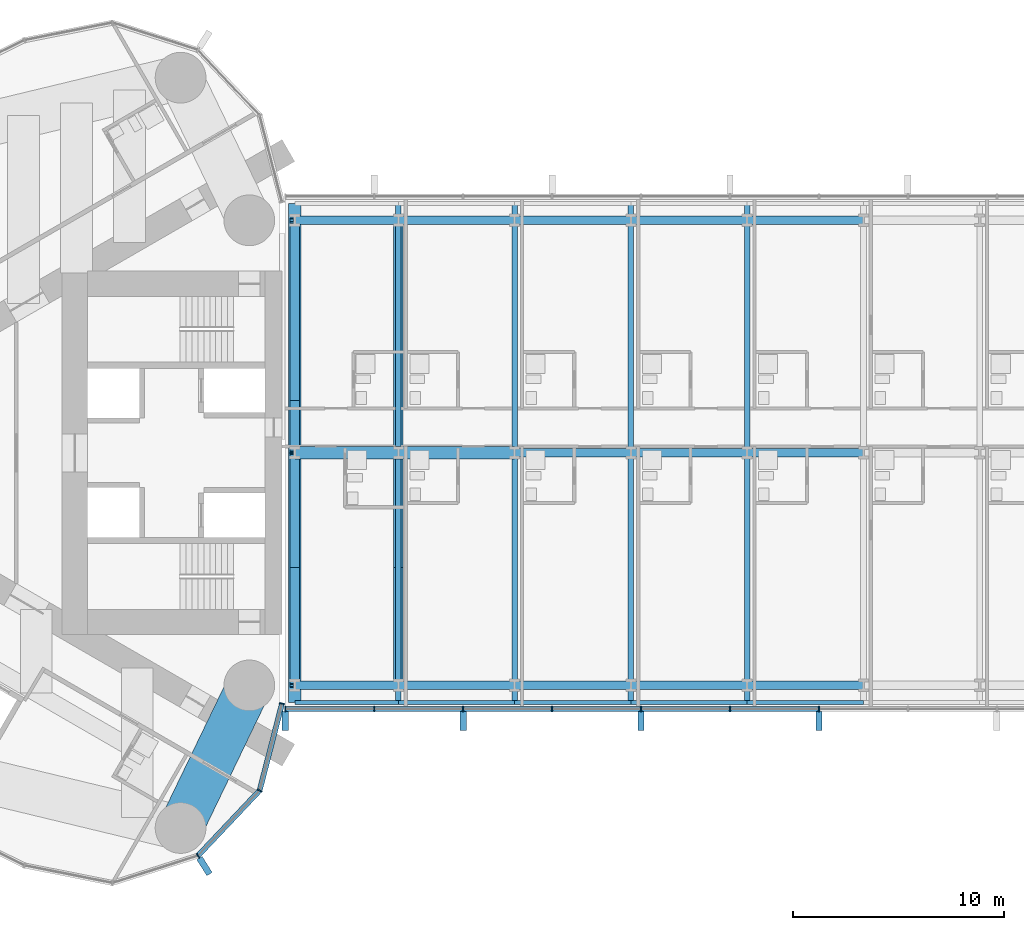
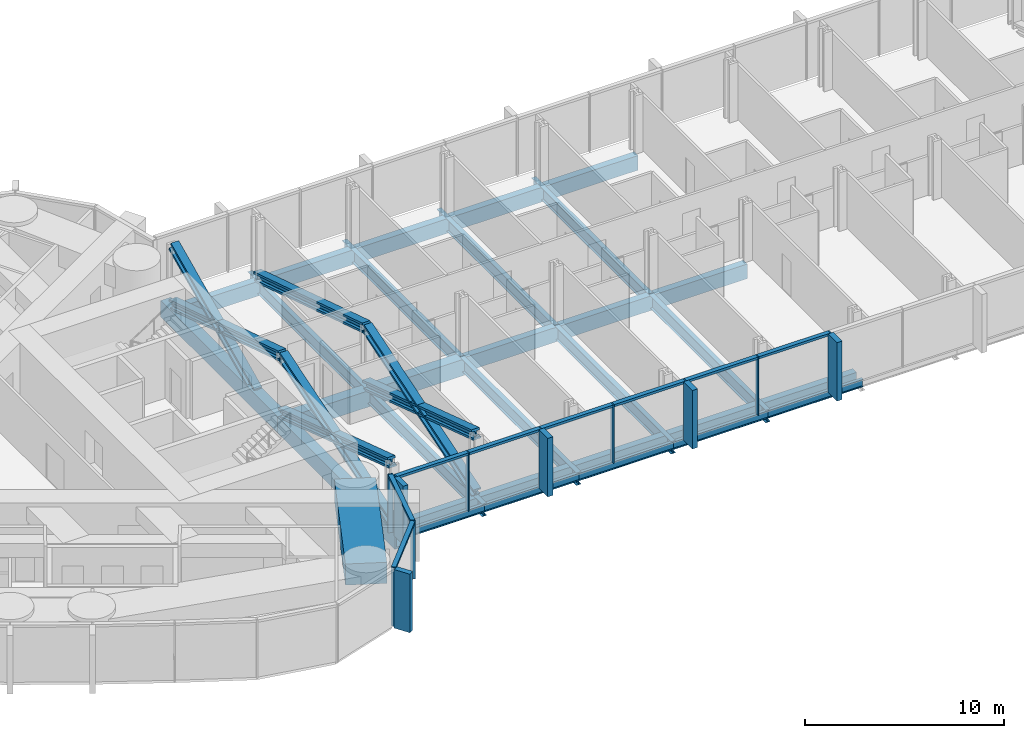
# One storey, part 4 of 23: 31 beams, 30 members, 2 elements without a shape of their own.
"""IFC4 building model written with IfcOpenShell, lengths in metres."""

from ifc_helpers import new_model, si_unit, direction, frame, origin, origin_2d, place, context, subcontext, project, spatial, rectangle, hollow_rectangle, i_section, extrude, material, material_profile, profile_set, type_object, element, aggregate, save


model = new_model("IFC4")

# Units and contexts
model_context = context("Model", 3, precision=1e-05, world=origin(), true_north=direction((0.0, 1.0)))
body_context = subcontext(model_context, "Body", "Model", "MODEL_VIEW")
ifc_project = project(units=[si_unit("LENGTHUNIT", "METRE"), si_unit("AREAUNIT", "SQUARE_METRE"), si_unit("VOLUMEUNIT", "CUBIC_METRE"), si_unit("PLANEANGLEUNIT", "RADIAN"), si_unit("MASSUNIT", "GRAM", prefix="KILO")], contexts=[model_context])

# Site, building, storey
site_placement = place(None, origin())
site = spatial("IfcSite", under=ifc_project, at=site_placement, CompositionType="ELEMENT")
building_placement = place(site_placement, origin())
building = spatial("IfcBuilding", under=site, at=building_placement, Name="Lancet Gate Hotel", CompositionType="ELEMENT")
storey_placement = place(building_placement, frame((0.0, 0.0, 218.89990234375)))
storey = spatial("IfcBuildingStorey", under=building, at=storey_placement, Name="L58", CompositionType="ELEMENT", Elevation=218.89990234375)

# Curtain wall, members
ifc_material_1 = material(Name="Aluminium curtain wall", Category="aluminium")
curtain_wall_type_1 = type_object("IfcCurtainWallType", Name="Tower unitised curtain wall", PredefinedType="USERDEFINED", material=ifc_material_1)
curtain_wall_1_placement = place(storey_placement, origin())
curtain_wall_1 = element("IfcCurtainWall", 1, at=curtain_wall_1_placement, inside=storey, type_object=curtain_wall_type_1, Name="T1 L58 curtain wall 1", ObjectType="UNITISED CURTAIN WALL", PredefinedType="USERDEFINED")
ifc_material_2 = material(Name="Aluminium mullion", Category="aluminium")
ifc_material_profile_1 = material_profile(ifc_material_2, rectangle(XDim=0.06494140625, YDim=0.25, at=origin_2d()), Name="MULLION 65x250")
ifc_profile_set_1 = profile_set([ifc_material_profile_1], Name="Aluminium mullion")
member_type_1 = type_object("IfcMemberType", Name="Aluminium mullion 65x250", PredefinedType="MULLION", material=ifc_profile_set_1)
member_1_placement = place(storey_placement, frame((-31.476318359375, -19.0576171875, 0.0), z_axis=(0.0, 0.0, 1.0), x_axis=(0.846612863, 0.532209225966, 0.0)))
member_1 = element("IfcMember", 2, at=member_1_placement, type_object=member_type_1, Name="T1 L58 curtain wall 1 mullion 23", PredefinedType="MULLION", context=body_context, shape_type="SweptSolid", body=[
    extrude(rectangle(XDim=0.06494140625, YDim=0.25, at=origin_2d()), origin(), (0.0, 0.0, 1.0), 3.60009765625),
])
member_2_placement = place(storey_placement, frame((-28.56005859375, -15.97216796875, 0.0), z_axis=(0.0, 0.0, 1.0), x_axis=(0.483627322447, 0.875274021654, 0.0)))
member_2 = element("IfcMember", 3, at=member_2_placement, type_object=member_type_1, Name="T1 L58 curtain wall 1 mullion 24", PredefinedType="MULLION", context=body_context, shape_type="SweptSolid", body=[
    extrude(rectangle(XDim=0.06494140625, YDim=0.25, at=origin_2d()), origin(), (0.0, 0.0, 1.0), 3.60009765625),
])
member_3_placement = place(storey_placement, frame((-27.5, -11.861572265625, 0.0), z_axis=(0.0, 0.0, 1.0), x_axis=(0.249725827997, 0.968316586056, 0.0)))
member_3 = element("IfcMember", 4, at=member_3_placement, type_object=member_type_1, Name="T1 L58 curtain wall 1 mullion 25", PredefinedType="MULLION", context=body_context, shape_type="SweptSolid", body=[
    extrude(rectangle(XDim=0.06494140625, YDim=0.25, at=origin_2d()), origin(), (0.0, 0.0, 1.0), 3.60009765625),
])

ifc_material_3 = material(Name="Aluminium curtain wall", Category="aluminium")
curtain_wall_type_2 = type_object("IfcCurtainWallType", Name="Bridge block curtain wall", PredefinedType="USERDEFINED", material=ifc_material_3)
curtain_wall_2_placement = place(storey_placement, origin())
curtain_wall_2 = element("IfcCurtainWall", 5, at=curtain_wall_2_placement, inside=storey, type_object=curtain_wall_type_2, Name="Bridge block L58 curtain wall S", ObjectType="UNITISED CURTAIN WALL", PredefinedType="USERDEFINED")
member_4_placement = place(storey_placement, frame((-27.35009765625, -12.1201171875, 0.0), z_axis=(0.0, 0.0, 1.0), x_axis=(1.0, 0.0, 0.0)))
member_4 = element("IfcMember", 6, at=member_4_placement, type_object=member_type_1, Name="Bridge block L58 curtain wall S mullion 1", PredefinedType="MULLION", context=body_context, shape_type="SweptSolid", body=[
    extrude(rectangle(XDim=0.06494140625, YDim=0.25, at=origin_2d()), origin(), (0.0, 0.0, 1.0), 3.60009765625),
])
member_5_placement = place(storey_placement, frame((-23.142333984375, -12.1201171875, 0.0), z_axis=(0.0, 0.0, 1.0), x_axis=(1.0, 0.0, 0.0)))
member_5 = element("IfcMember", 7, at=member_5_placement, type_object=member_type_1, Name="Bridge block L58 curtain wall S mullion 2", PredefinedType="MULLION", context=body_context, shape_type="SweptSolid", body=[
    extrude(rectangle(XDim=0.06494140625, YDim=0.25, at=origin_2d()), origin(), (0.0, 0.0, 1.0), 3.60009765625),
])
member_6_placement = place(storey_placement, frame((-18.9345703125, -12.1201171875, 0.0), z_axis=(0.0, 0.0, 1.0), x_axis=(1.0, 0.0, 0.0)))
member_6 = element("IfcMember", 8, at=member_6_placement, type_object=member_type_1, Name="Bridge block L58 curtain wall S mullion 3", PredefinedType="MULLION", context=body_context, shape_type="SweptSolid", body=[
    extrude(rectangle(XDim=0.06494140625, YDim=0.25, at=origin_2d()), origin(), (0.0, 0.0, 1.0), 3.60009765625),
])
member_7_placement = place(storey_placement, frame((-14.726806640625, -12.1201171875, 0.0), z_axis=(0.0, 0.0, 1.0), x_axis=(1.0, 0.0, 0.0)))
member_7 = element("IfcMember", 9, at=member_7_placement, type_object=member_type_1, Name="Bridge block L58 curtain wall S mullion 4", PredefinedType="MULLION", context=body_context, shape_type="SweptSolid", body=[
    extrude(rectangle(XDim=0.06494140625, YDim=0.25, at=origin_2d()), origin(), (0.0, 0.0, 1.0), 3.60009765625),
])
member_8_placement = place(storey_placement, frame((-10.519287109375, -12.1201171875, 0.0), z_axis=(0.0, 0.0, 1.0), x_axis=(1.0, 0.0, 0.0)))
member_8 = element("IfcMember", 10, at=member_8_placement, type_object=member_type_1, Name="Bridge block L58 curtain wall S mullion 5", PredefinedType="MULLION", context=body_context, shape_type="SweptSolid", body=[
    extrude(rectangle(XDim=0.06494140625, YDim=0.25, at=origin_2d()), origin(), (0.0, 0.0, 1.0), 3.60009765625),
])
member_9_placement = place(storey_placement, frame((-6.3115234375, -12.1201171875, 0.0), z_axis=(0.0, 0.0, 1.0), x_axis=(1.0, 0.0, 0.0)))
member_9 = element("IfcMember", 11, at=member_9_placement, type_object=member_type_1, Name="Bridge block L58 curtain wall S mullion 6", PredefinedType="MULLION", context=body_context, shape_type="SweptSolid", body=[
    extrude(rectangle(XDim=0.06494140625, YDim=0.25, at=origin_2d()), origin(), (0.0, 0.0, 1.0), 3.60009765625),
])
member_10_placement = place(storey_placement, frame((-2.103759765625, -12.1201171875, 0.0), z_axis=(0.0, 0.0, 1.0), x_axis=(1.0, 0.0, 0.0)))
member_10 = element("IfcMember", 12, at=member_10_placement, type_object=member_type_1, Name="Bridge block L58 curtain wall S mullion 7", PredefinedType="MULLION", context=body_context, shape_type="SweptSolid", body=[
    extrude(rectangle(XDim=0.06494140625, YDim=0.25, at=origin_2d()), origin(), (0.0, 0.0, 1.0), 3.60009765625),
])

# Member
ifc_material_4 = material(Name="Aluminium transom", Category="aluminium")
ifc_material_profile_2 = material_profile(ifc_material_4, rectangle(XDim=0.25, YDim=0.14990234375, at=origin_2d()), Name="TRANSOM 250x150")
ifc_profile_set_2 = profile_set([ifc_material_profile_2], Name="Aluminium transom")
member_type_2 = type_object("IfcMemberType", Name="Aluminium transom 250x150", PredefinedType="USERDEFINED", material=ifc_profile_set_2)
member_11_placement = place(storey_placement, frame((-31.453857421875, -19.033935546875, 3.525146484375), z_axis=(0.686880731091, 0.726770157103, 0.0), x_axis=(-0.726770157103, 0.686880731091, 0.0)))
member_11 = element("IfcMember", 13, at=member_11_placement, type_object=member_type_2, Name="T1 L58 curtain wall 1 transom 23", ObjectType="TRANSOM", PredefinedType="USERDEFINED", context=body_context, shape_type="SweptSolid", body=[
    extrude(rectangle(XDim=0.25, YDim=0.14990234375, at=origin_2d()), origin(), (0.0, 0.0, 1.0), 4.18017578125),
])

member_12_placement = place(storey_placement, frame((-28.552001953125, -15.94091796875, 3.525146484375), z_axis=(0.249715522936, 0.968319243641, 0.0), x_axis=(-0.968319243641, 0.249715522936, 0.0)))
member_12 = element("IfcMember", 14, at=member_12_placement, type_object=member_type_2, Name="T1 L58 curtain wall 1 transom 24", ObjectType="TRANSOM", PredefinedType="USERDEFINED", context=body_context, shape_type="SweptSolid", body=[
    extrude(rectangle(XDim=0.25, YDim=0.14990234375, at=origin_2d()), origin(), (0.0, 0.0, 1.0), 4.180419921875),
])

member_13_placement = place(storey_placement, frame((-27.3173828125, -12.1201171875, 3.525146484375), z_axis=(1.0, 0.0, 0.0), x_axis=(0.0, 1.0, 0.0)))
member_13 = element("IfcMember", 15, at=member_13_placement, type_object=member_type_2, Name="Bridge block L58 curtain wall S transom 1", ObjectType="TRANSOM", PredefinedType="USERDEFINED", context=body_context, shape_type="SweptSolid", body=[
    extrude(rectangle(XDim=0.25, YDim=0.14990234375, at=origin_2d()), origin(), (0.0, 0.0, 1.0), 4.142578125),
])

member_14_placement = place(storey_placement, frame((-23.10986328125, -12.1201171875, 3.525146484375), z_axis=(1.0, 0.0, 0.0), x_axis=(0.0, 1.0, 0.0)))
member_14 = element("IfcMember", 16, at=member_14_placement, type_object=member_type_2, Name="Bridge block L58 curtain wall S transom 2", ObjectType="TRANSOM", PredefinedType="USERDEFINED", context=body_context, shape_type="SweptSolid", body=[
    extrude(rectangle(XDim=0.25, YDim=0.14990234375, at=origin_2d()), origin(), (0.0, 0.0, 1.0), 4.142822265625),
])

member_15_placement = place(storey_placement, frame((-18.902099609375, -12.1201171875, 3.525146484375), z_axis=(1.0, 0.0, 0.0), x_axis=(0.0, 1.0, 0.0)))
member_15 = element("IfcMember", 17, at=member_15_placement, type_object=member_type_2, Name="Bridge block L58 curtain wall S transom 3", ObjectType="TRANSOM", PredefinedType="USERDEFINED", context=body_context, shape_type="SweptSolid", body=[
    extrude(rectangle(XDim=0.25, YDim=0.14990234375, at=origin_2d()), origin(), (0.0, 0.0, 1.0), 4.142578125),
])

member_16_placement = place(storey_placement, frame((-14.6943359375, -12.1201171875, 3.525146484375), z_axis=(1.0, 0.0, 0.0), x_axis=(0.0, 1.0, 0.0)))
member_16 = element("IfcMember", 18, at=member_16_placement, type_object=member_type_2, Name="Bridge block L58 curtain wall S transom 4", ObjectType="TRANSOM", PredefinedType="USERDEFINED", context=body_context, shape_type="SweptSolid", body=[
    extrude(rectangle(XDim=0.25, YDim=0.14990234375, at=origin_2d()), origin(), (0.0, 0.0, 1.0), 4.142578125),
])

member_17_placement = place(storey_placement, frame((-10.48681640625, -12.1201171875, 3.525146484375), z_axis=(1.0, 0.0, 0.0), x_axis=(0.0, 1.0, 0.0)))
member_17 = element("IfcMember", 19, at=member_17_placement, type_object=member_type_2, Name="Bridge block L58 curtain wall S transom 5", ObjectType="TRANSOM", PredefinedType="USERDEFINED", context=body_context, shape_type="SweptSolid", body=[
    extrude(rectangle(XDim=0.25, YDim=0.14990234375, at=origin_2d()), origin(), (0.0, 0.0, 1.0), 4.142822265625),
])

member_18_placement = place(storey_placement, frame((-6.279052734375, -12.1201171875, 3.525146484375), z_axis=(1.0, 0.0, 0.0), x_axis=(0.0, 1.0, 0.0)))
member_18 = element("IfcMember", 20, at=member_18_placement, type_object=member_type_2, Name="Bridge block L58 curtain wall S transom 6", ObjectType="TRANSOM", PredefinedType="USERDEFINED", context=body_context, shape_type="SweptSolid", body=[
    extrude(rectangle(XDim=0.25, YDim=0.14990234375, at=origin_2d()), origin(), (0.0, 0.0, 1.0), 4.142822265625),
])

# Members
ifc_material_5 = material(Name="Steel S460", Category="steel")
ifc_material_profile_3 = material_profile(ifc_material_5, i_section(OverallWidth=0.4541015625, OverallDepth=0.569091796875, WebThickness=0.077880859375, FlangeThickness=0.125, FilletRadius=0.02001953125, at=origin_2d()), Name="HD 400x1086")
ifc_profile_set_3 = profile_set([ifc_material_profile_3], Name="Steel S460")
member_type_3 = type_object("IfcMemberType", Name="Block brace HD 400x1086", PredefinedType="BRACE", material=ifc_profile_set_3)
member_19_placement = place(storey_placement, frame((-26.89990234375, -11.0, 0.0), z_axis=(0.0, 0.952925780013, 0.303203657277), x_axis=(-1.0, 0.0, 0.0)))
element("IfcMember", 21, at=member_19_placement, inside=storey, type_object=member_type_3, Name="Block brace WY11 L58", PredefinedType="BRACE", context=body_context, shape_type="SweptSolid", body=[
    extrude(i_section(OverallWidth=0.4541015625, OverallDepth=0.569091796875, WebThickness=0.077880859375, FlangeThickness=0.125, FilletRadius=0.02001953125, at=origin_2d()), origin(), (0.0, 0.0, 1.0), 11.54345703125),
])
member_20_placement = place(storey_placement, frame((-26.89990234375, 0.0, 0.0), z_axis=(0.0, -0.950394634814, 0.311046681573), x_axis=(1.0, 0.0, 0.0)))
element("IfcMember", 22, at=member_20_placement, inside=storey, type_object=member_type_3, Name="Block brace WY12 L58", PredefinedType="BRACE", context=body_context, shape_type="SweptSolid", body=[
    extrude(i_section(OverallWidth=0.4541015625, OverallDepth=0.569091796875, WebThickness=0.077880859375, FlangeThickness=0.125, FilletRadius=0.02001953125, at=origin_2d()), origin(), (0.0, 0.0, 1.0), 11.57421875),
])
for number, where, z_axis, x_axis, name in (
    (23, (-26.89990234375, 11.0, 0.0), (0.0, -0.952925780013, 0.303203657277), (1.0, 0.0, 0.0), "Block brace WY22 L58"),
    (24, (-22.0, -11.0, 0.0), (0.0, 0.952925780013, 0.303203657277), (-1.0, 0.0, 0.0), "Block brace WI11 L58"),
):
    element("IfcMember", number, at=place(storey_placement, frame(where, z_axis=z_axis, x_axis=x_axis)), inside=storey, type_object=member_type_3, Name=name, PredefinedType="BRACE", context=body_context, shape_type="SweptSolid", body=[
        extrude(i_section(OverallWidth=0.4541015625, OverallDepth=0.569091796875, WebThickness=0.077880859375, FlangeThickness=0.125, FilletRadius=0.02001953125, at=origin_2d()), origin(), (0.0, 0.0, 1.0), 11.54345703125),
    ])
member_21_placement = place(storey_placement, frame((-22.0, 0.0, 0.0), z_axis=(0.0, -0.950394634814, 0.311046681573), x_axis=(1.0, 0.0, 0.0)))
element("IfcMember", 25, at=member_21_placement, inside=storey, type_object=member_type_3, Name="Block brace WI12 L58", PredefinedType="BRACE", context=body_context, shape_type="SweptSolid", body=[
    extrude(i_section(OverallWidth=0.4541015625, OverallDepth=0.569091796875, WebThickness=0.077880859375, FlangeThickness=0.125, FilletRadius=0.02001953125, at=origin_2d()), origin(), (0.0, 0.0, 1.0), 11.57421875),
])
member_22_placement = place(storey_placement, frame((-22.0, 11.0, 0.0), z_axis=(0.0, -0.952925780013, 0.303203657277), x_axis=(1.0, 0.0, 0.0)))
element("IfcMember", 26, at=member_22_placement, inside=storey, type_object=member_type_3, Name="Block brace WI22 L58", PredefinedType="BRACE", context=body_context, shape_type="SweptSolid", body=[
    extrude(i_section(OverallWidth=0.4541015625, OverallDepth=0.569091796875, WebThickness=0.077880859375, FlangeThickness=0.125, FilletRadius=0.02001953125, at=origin_2d()), origin(), (0.0, 0.0, 1.0), 11.54345703125),
])
member_23_placement = place(storey_placement, frame((-26.89990234375, 2.60009765625, -0.2998046875), z_axis=(0.0, 0.907011125382, 0.421106659212), x_axis=(-1.0, 0.0, 0.0)))
element("IfcMember", 27, at=member_23_placement, inside=storey, type_object=member_type_3, Name="Block brace WY23 L58", PredefinedType="BRACE", context=body_context, shape_type="SweptSolid", body=[
    extrude(i_section(OverallWidth=0.4541015625, OverallDepth=0.569091796875, WebThickness=0.077880859375, FlangeThickness=0.125, FilletRadius=0.02001953125, at=origin_2d()), origin(), (0.0, 0.0, 1.0), 9.260986328125),
])

# Beams
ifc_material_6 = material(Name="Steel S355", Category="steel")
ifc_material_profile_4 = material_profile(ifc_material_6, i_section(OverallWidth=0.19140625, OverallDepth=0.4599609375, WebThickness=0.010009765625, FlangeThickness=0.01611328125, FilletRadius=0.01025390625, at=origin_2d()), Name="UKB 457x191x82")
ifc_profile_set_4 = profile_set([ifc_material_profile_4], Name="Steel S355")
beam_type_1 = type_object("IfcBeamType", Name="Block edge beam UKB 457x191x82", PredefinedType="SPANDREL", material=ifc_profile_set_4)
beam_1_placement = place(storey_placement, frame((-26.89990234375, -11.800048828125, -0.429931640625), z_axis=(1.0, 0.0, 0.0), x_axis=(0.0, 1.0, 0.0)))
element("IfcBeam", 28, at=beam_1_placement, inside=storey, type_object=beam_type_1, Name="Block edge beam S 0-1 L58", PredefinedType="SPANDREL", context=body_context, shape_type="SweptSolid", body=[
    extrude(i_section(OverallWidth=0.19140625, OverallDepth=0.4599609375, WebThickness=0.010009765625, FlangeThickness=0.01611328125, FilletRadius=0.01025390625, at=origin_2d()), origin(), (0.0, 0.0, 1.0), 4.89990234375),
])
for number, where, z_axis, x_axis, name in (
    (29, (-22.0, -11.800048828125, -0.429931640625), (1.0, 0.0, 0.0), (0.0, 1.0, 0.0), "Block edge beam S 1-2 L58"),
    (30, (-16.5, -11.800048828125, -0.429931640625), (1.0, 0.0, 0.0), (0.0, 1.0, 0.0), "Block edge beam S 2-3 L58"),
    (31, (-11.0, -11.800048828125, -0.429931640625), (1.0, 0.0, 0.0), (0.0, 1.0, 0.0), "Block edge beam S 3-4 L58"),
    (32, (-5.5, -11.800048828125, -0.429931640625), (1.0, 0.0, 0.0), (0.0, 1.0, 0.0), "Block edge beam S 4-5 L58"),
):
    element("IfcBeam", number, at=place(storey_placement, frame(where, z_axis=z_axis, x_axis=x_axis)), inside=storey, type_object=beam_type_1, Name=name, PredefinedType="SPANDREL", context=body_context, shape_type="SweptSolid", body=[
        extrude(i_section(OverallWidth=0.19140625, OverallDepth=0.4599609375, WebThickness=0.010009765625, FlangeThickness=0.01611328125, FilletRadius=0.01025390625, at=origin_2d()), origin(), (0.0, 0.0, 1.0), 5.5),
    ])
ifc_material_7 = material(Name="Steel S460QL", Category="steel")
ifc_material_profile_5 = material_profile(ifc_material_7, hollow_rectangle(XDim=0.60009765625, YDim=1.0, WallThickness=0.10009765625, at=origin_2d()), Name="BOX 1000x600x100")
ifc_profile_set_5 = profile_set([ifc_material_profile_5], Name="Steel S460QL")
beam_type_2 = type_object("IfcBeamType", Name="Block end beam BOX 1000x600x100", PredefinedType="BEAM", material=ifc_profile_set_5)
for number, where, z_axis, x_axis, name in (
    (33, (-26.89990234375, -11.800048828125, -0.699951171875), (0.0, 1.0, 0.0), (-1.0, 0.0, 0.0), "Block beam x0 S L58"),
    (34, (-26.89990234375, 0.0, -0.699951171875), (0.0, 1.0, 0.0), (-1.0, 0.0, 0.0), "Block beam x0 N L58"),
):
    element("IfcBeam", number, at=place(storey_placement, frame(where, z_axis=z_axis, x_axis=x_axis)), inside=storey, type_object=beam_type_2, Name=name, PredefinedType="BEAM", context=body_context, shape_type="SweptSolid", body=[
        extrude(hollow_rectangle(XDim=0.60009765625, YDim=1.0, WallThickness=0.10009765625, at=origin_2d()), origin(), (0.0, 0.0, 1.0), 11.800048828125),
    ])
ifc_material_8 = material(Name="Steel S460QL", Category="steel")
ifc_material_profile_6 = material_profile(ifc_material_8, hollow_rectangle(XDim=0.60009765625, YDim=1.0, WallThickness=0.080078125, at=origin_2d()), Name="BOX 1000x600x80")
ifc_profile_set_6 = profile_set([ifc_material_profile_6], Name="Steel S460QL")
beam_type_3 = type_object("IfcBeamType", Name="Block primary beam BOX 1000x600x80", PredefinedType="BEAM", material=ifc_profile_set_6)
beam_2_placement = place(storey_placement, frame((-26.89990234375, 0.0, -0.699951171875), z_axis=(1.0, 0.0, 0.0), x_axis=(0.0, 1.0, 0.0)))
element("IfcBeam", 35, at=beam_2_placement, inside=storey, type_object=beam_type_3, Name="Block primary beam M 1 L58", PredefinedType="BEAM", context=body_context, shape_type="SweptSolid", body=[
    extrude(hollow_rectangle(XDim=0.60009765625, YDim=1.0, WallThickness=0.080078125, at=origin_2d()), origin(), (0.0, 0.0, 1.0), 4.89990234375),
])
beam_3_placement = place(storey_placement, frame((-22.0, 0.0, -0.699951171875), z_axis=(1.0, 0.0, 0.0), x_axis=(0.0, 1.0, 0.0)))
element("IfcBeam", 36, at=beam_3_placement, inside=storey, type_object=beam_type_3, Name="Block primary beam M 2 L58", PredefinedType="BEAM", context=body_context, shape_type="SweptSolid", body=[
    extrude(hollow_rectangle(XDim=0.60009765625, YDim=1.0, WallThickness=0.080078125, at=origin_2d()), origin(), (0.0, 0.0, 1.0), 5.5),
])
ifc_material_9 = material(Name="Steel S355", Category="steel")
ifc_material_profile_7 = material_profile(ifc_material_9, hollow_rectangle(XDim=0.39990234375, YDim=0.89990234375, WallThickness=0.0400390625, at=origin_2d()), Name="BOX 900x400x40")
ifc_profile_set_7 = profile_set([ifc_material_profile_7], Name="Steel S355")
beam_type_4 = type_object("IfcBeamType", Name="Block primary beam BOX 900x400x40", PredefinedType="BEAM", material=ifc_profile_set_7)
beam_4_placement = place(storey_placement, frame((-26.89990234375, -11.0, -0.64990234375), z_axis=(1.0, 0.0, 0.0), x_axis=(0.0, 1.0, 0.0)))
element("IfcBeam", 37, at=beam_4_placement, inside=storey, type_object=beam_type_4, Name="Block primary beam S 1 L58", PredefinedType="BEAM", context=body_context, shape_type="SweptSolid", body=[
    extrude(hollow_rectangle(XDim=0.39990234375, YDim=0.89990234375, WallThickness=0.0400390625, at=origin_2d()), origin(), (0.0, 0.0, 1.0), 4.89990234375),
])
for number, where, z_axis, x_axis, name in (
    (38, (-22.0, -11.0, -0.64990234375), (1.0, 0.0, 0.0), (0.0, 1.0, 0.0), "Block primary beam S 2 L58"),
    (39, (-16.5, -11.0, -0.64990234375), (1.0, 0.0, 0.0), (0.0, 1.0, 0.0), "Block primary beam S 3 L58"),
    (40, (-11.0, -11.0, -0.64990234375), (1.0, 0.0, 0.0), (0.0, 1.0, 0.0), "Block primary beam S 4 L58"),
    (41, (-5.5, -11.0, -0.64990234375), (1.0, 0.0, 0.0), (0.0, 1.0, 0.0), "Block primary beam S 5 L58"),
    (42, (-16.5, 0.0, -0.64990234375), (1.0, 0.0, 0.0), (0.0, 1.0, 0.0), "Block primary beam M 3 L58"),
    (43, (-11.0, 0.0, -0.64990234375), (1.0, 0.0, 0.0), (0.0, 1.0, 0.0), "Block primary beam M 4 L58"),
    (44, (-5.5, 0.0, -0.64990234375), (1.0, 0.0, 0.0), (0.0, 1.0, 0.0), "Block primary beam M 5 L58"),
):
    element("IfcBeam", number, at=place(storey_placement, frame(where, z_axis=z_axis, x_axis=x_axis)), inside=storey, type_object=beam_type_4, Name=name, PredefinedType="BEAM", context=body_context, shape_type="SweptSolid", body=[
        extrude(hollow_rectangle(XDim=0.39990234375, YDim=0.89990234375, WallThickness=0.0400390625, at=origin_2d()), origin(), (0.0, 0.0, 1.0), 5.5),
    ])
beam_5_placement = place(storey_placement, frame((-26.89990234375, 11.0, -0.64990234375), z_axis=(1.0, 0.0, 0.0), x_axis=(0.0, 1.0, 0.0)))
element("IfcBeam", 45, at=beam_5_placement, inside=storey, type_object=beam_type_4, Name="Block primary beam N 1 L58", PredefinedType="BEAM", context=body_context, shape_type="SweptSolid", body=[
    extrude(hollow_rectangle(XDim=0.39990234375, YDim=0.89990234375, WallThickness=0.0400390625, at=origin_2d()), origin(), (0.0, 0.0, 1.0), 4.89990234375),
])
for number, where, z_axis, x_axis, name in (
    (46, (-22.0, 11.0, -0.64990234375), (1.0, 0.0, 0.0), (0.0, 1.0, 0.0), "Block primary beam N 2 L58"),
    (47, (-16.5, 11.0, -0.64990234375), (1.0, 0.0, 0.0), (0.0, 1.0, 0.0), "Block primary beam N 3 L58"),
    (48, (-11.0, 11.0, -0.64990234375), (1.0, 0.0, 0.0), (0.0, 1.0, 0.0), "Block primary beam N 4 L58"),
    (49, (-5.5, 11.0, -0.64990234375), (1.0, 0.0, 0.0), (0.0, 1.0, 0.0), "Block primary beam N 5 L58"),
):
    element("IfcBeam", number, at=place(storey_placement, frame(where, z_axis=z_axis, x_axis=x_axis)), inside=storey, type_object=beam_type_4, Name=name, PredefinedType="BEAM", context=body_context, shape_type="SweptSolid", body=[
        extrude(hollow_rectangle(XDim=0.39990234375, YDim=0.89990234375, WallThickness=0.0400390625, at=origin_2d()), origin(), (0.0, 0.0, 1.0), 5.5),
    ])
ifc_material_10 = material(Name="Steel S355", Category="steel")
ifc_material_profile_8 = material_profile(ifc_material_10, i_section(OverallWidth=0.26806640625, OverallDepth=0.769775390625, WebThickness=0.015625, FlangeThickness=0.025390625, FilletRadius=0.0166015625, at=origin_2d()), Name="UKB 762x267x197")
ifc_profile_set_8 = profile_set([ifc_material_profile_8], Name="Steel S355")
beam_type_5 = type_object("IfcBeamType", Name="Block secondary beam UKB 762x267x197", PredefinedType="JOIST", material=ifc_profile_set_8)
for number, where, z_axis, x_axis, name in (
    (50, (-22.0, -11.800048828125, -0.584716796875), (0.0, 1.0, 0.0), (-1.0, 0.0, 0.0), "Block beam x1 S L58"),
    (51, (-22.0, 0.0, -0.584716796875), (0.0, 1.0, 0.0), (-1.0, 0.0, 0.0), "Block beam x1 N L58"),
    (52, (-16.5, -11.800048828125, -0.584716796875), (0.0, 1.0, 0.0), (-1.0, 0.0, 0.0), "Block beam x2 S L58"),
    (53, (-16.5, 0.0, -0.584716796875), (0.0, 1.0, 0.0), (-1.0, 0.0, 0.0), "Block beam x2 N L58"),
    (54, (-11.0, -11.800048828125, -0.584716796875), (0.0, 1.0, 0.0), (-1.0, 0.0, 0.0), "Block beam x3 S L58"),
    (55, (-11.0, 0.0, -0.584716796875), (0.0, 1.0, 0.0), (-1.0, 0.0, 0.0), "Block beam x3 N L58"),
    (56, (-5.5, -11.800048828125, -0.584716796875), (0.0, 1.0, 0.0), (-1.0, 0.0, 0.0), "Block beam x4 S L58"),
    (57, (-5.5, 0.0, -0.584716796875), (0.0, 1.0, 0.0), (-1.0, 0.0, 0.0), "Block beam x4 N L58"),
):
    element("IfcBeam", number, at=place(storey_placement, frame(where, z_axis=z_axis, x_axis=x_axis)), inside=storey, type_object=beam_type_5, Name=name, PredefinedType="JOIST", context=body_context, shape_type="SweptSolid", body=[
        extrude(i_section(OverallWidth=0.26806640625, OverallDepth=0.769775390625, WebThickness=0.015625, FlangeThickness=0.025390625, FilletRadius=0.0166015625, at=origin_2d()), origin(), (0.0, 0.0, 1.0), 11.800048828125),
    ])
ifc_material_11 = material(Name="Concrete C50/60", Category="concrete")
ifc_material_profile_9 = material_profile(ifc_material_11, rectangle(XDim=2.10009765625, YDim=1.300048828125, at=origin_2d()), Name="RC 2100x1300")
ifc_profile_set_9 = profile_set([ifc_material_profile_9], Name="Concrete C50/60")
beam_type_6 = type_object("IfcBeamType", Name="Edge beam RC 2100x1300", PredefinedType="SPANDREL", material=ifc_profile_set_9)
beam_6_placement = place(storey_placement, frame((-29.050048828125, -11.0, 2.7001953125), z_axis=(-0.434163599361, -0.900834040759, 0.0), x_axis=(0.900834040759, -0.434163599361, 0.0)))
element("IfcBeam", 58, at=beam_6_placement, inside=storey, type_object=beam_type_6, Name="T1 edge beam EB1 L58", PredefinedType="SPANDREL", context=body_context, shape_type="SweptSolid", body=[
    extrude(rectangle(XDim=2.10009765625, YDim=1.300048828125, at=origin_2d()), origin(), (0.0, 0.0, 1.0), 7.48779296875),
])

# Member
ifc_material_12 = material(Name="Precast concrete C50/60", Category="concrete")
ifc_material_profile_10 = material_profile(ifc_material_12, rectangle(XDim=0.300048828125, YDim=0.89990234375, at=origin_2d()), Name="FIN 300x900")
ifc_profile_set_10 = profile_set([ifc_material_profile_10], Name="Precast concrete C50/60")
member_type_4 = type_object("IfcMemberType", Name="Exposed concrete fin 300x900", PredefinedType="USERDEFINED", material=ifc_profile_set_10)
member_24_placement = place(storey_placement, frame((-31.170166015625, -19.54443359375, 0.0), z_axis=(0.0, 0.0, 1.0), x_axis=(0.846612863, 0.532209225966, 0.0)))
member_24 = element("IfcMember", 59, at=member_24_placement, type_object=member_type_4, Name="T1 L58 curtain wall 1 fin 23", ObjectType="FIN", PredefinedType="USERDEFINED", context=body_context, shape_type="SweptSolid", body=[
    extrude(rectangle(XDim=0.300048828125, YDim=0.89990234375, at=origin_2d()), origin(), (0.0, 0.0, 1.0), 3.60009765625),
])

aggregate(curtain_wall_1, [member_1, member_24, member_2, member_3, member_11, member_12])

member_25_placement = place(storey_placement, frame((-27.35009765625, -12.695068359375, 0.0), z_axis=(0.0, 0.0, 1.0), x_axis=(1.0, 0.0, 0.0)))
member_25 = element("IfcMember", 60, at=member_25_placement, type_object=member_type_4, Name="Bridge block L58 curtain wall S fin 1", ObjectType="FIN", PredefinedType="USERDEFINED", context=body_context, shape_type="SweptSolid", body=[
    extrude(rectangle(XDim=0.300048828125, YDim=0.89990234375, at=origin_2d()), origin(), (0.0, 0.0, 1.0), 3.60009765625),
])

member_26_placement = place(storey_placement, frame((-18.9345703125, -12.695068359375, 0.0), z_axis=(0.0, 0.0, 1.0), x_axis=(1.0, 0.0, 0.0)))
member_26 = element("IfcMember", 61, at=member_26_placement, type_object=member_type_4, Name="Bridge block L58 curtain wall S fin 3", ObjectType="FIN", PredefinedType="USERDEFINED", context=body_context, shape_type="SweptSolid", body=[
    extrude(rectangle(XDim=0.300048828125, YDim=0.89990234375, at=origin_2d()), origin(), (0.0, 0.0, 1.0), 3.60009765625),
])

member_27_placement = place(storey_placement, frame((-10.519287109375, -12.695068359375, 0.0), z_axis=(0.0, 0.0, 1.0), x_axis=(1.0, 0.0, 0.0)))
member_27 = element("IfcMember", 62, at=member_27_placement, type_object=member_type_4, Name="Bridge block L58 curtain wall S fin 5", ObjectType="FIN", PredefinedType="USERDEFINED", context=body_context, shape_type="SweptSolid", body=[
    extrude(rectangle(XDim=0.300048828125, YDim=0.89990234375, at=origin_2d()), origin(), (0.0, 0.0, 1.0), 3.60009765625),
])

member_28_placement = place(storey_placement, frame((-2.103759765625, -12.695068359375, 0.0), z_axis=(0.0, 0.0, 1.0), x_axis=(1.0, 0.0, 0.0)))
member_28 = element("IfcMember", 63, at=member_28_placement, type_object=member_type_4, Name="Bridge block L58 curtain wall S fin 7", ObjectType="FIN", PredefinedType="USERDEFINED", context=body_context, shape_type="SweptSolid", body=[
    extrude(rectangle(XDim=0.300048828125, YDim=0.89990234375, at=origin_2d()), origin(), (0.0, 0.0, 1.0), 3.60009765625),
])

aggregate(curtain_wall_2, [member_4, member_25, member_5, member_6, member_26, member_7, member_8, member_27, member_9, member_10, member_28, member_13, member_14, member_15, member_16, member_17, member_18])

save(model, "model.ifc")
